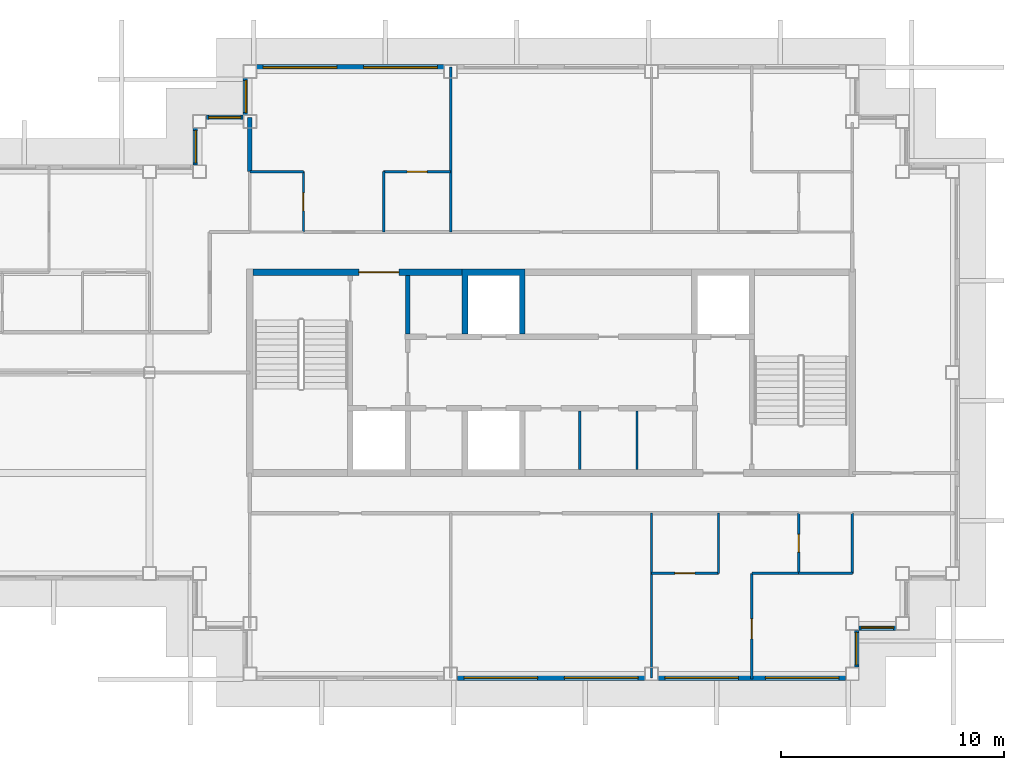
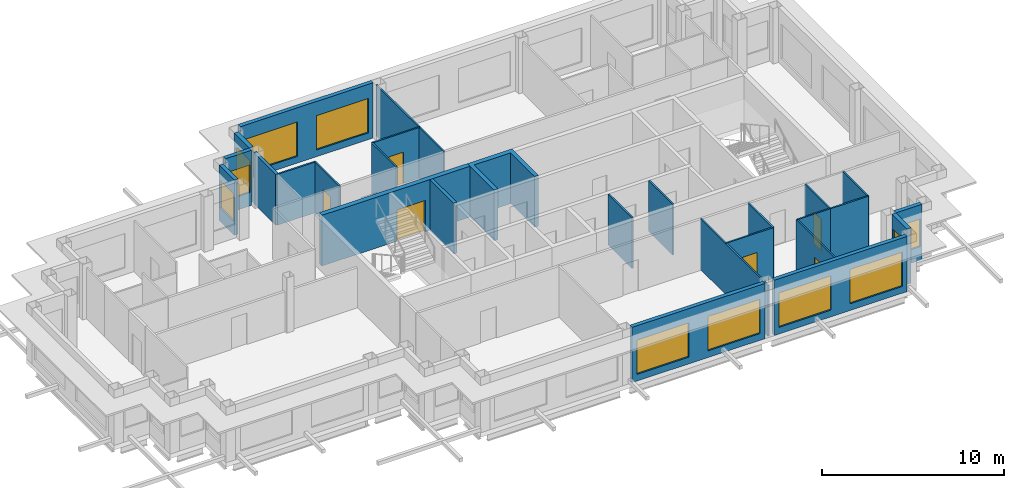
# One storey, part 4 of 11: 27 walls, 11 windows, 6 doors, 17 openings.
"""IFC4 building model written with IfcOpenShell, lengths in metres."""

import ifcopenshell
import ifcopenshell.guid

model = None  # the IFC model being written
_history = None  # IfcOwnerHistory: only IFC2X3 demands one
_inside = {}  # id of a spatial element -> (the spatial element, [elements in it])
_under = {}  # id of a project, library or spatial element -> (it, [spatial elements below it])
_declared = {}  # id of a project -> (the project, [libraries it declares])
_typed = {}  # id of a type object -> (the type object, [elements of that type])
_made_of = {}  # id of a material, layer set ... -> (it, [elements and type objects made of it])


def new_model(schema):
    """Start an empty IFC model of exactly this schema.

    Asked for "IFC4X3", IfcOpenShell would pick the latest addendum, in which some entities
    have other attributes; the version numbers below select the first issue.
    IFC2X3 requires an IfcOwnerHistory on every rooted entity: one is made here for all.
    """
    global model, _history
    if schema == "IFC4X3":
        model = ifcopenshell.file(schema_version=(4, 3, 0, 0))
    else:
        model = ifcopenshell.file(schema=schema)
    _inside.clear()
    _under.clear()
    _declared.clear()
    _typed.clear()
    _made_of.clear()
    _history = None
    if model.schema == "IFC2X3":
        org = make("IfcOrganization", Name="unknown")
        user = make(
            "IfcPersonAndOrganization",
            ThePerson=make("IfcPerson", FamilyName="unknown"),
            TheOrganization=org,
        )
        app = make(
            "IfcApplication",
            ApplicationDeveloper=org,
            Version="unknown",
            ApplicationFullName="unknown",
            ApplicationIdentifier="unknown",
        )
        _history = make(
            "IfcOwnerHistory",
            OwningUser=user,
            OwningApplication=app,
            ChangeAction="ADDED",
            CreationDate=0,
        )
    return model


def make(cls, **values):
    """One entity of the class cls with the attributes given. An attribute that is None is left unset."""
    return model.create_entity(
        cls, **{name: value for name, value in values.items() if value is not None}
    )


def rooted(cls, **values):
    """An entity with a GlobalId (a new one), such as an element, a storey or a relation."""
    return make(cls, GlobalId=ifcopenshell.guid.new(), OwnerHistory=_history, **values)


def si_unit(unit_type, name, prefix=None):
    """IfcSIUnit, for example si_unit("LENGTHUNIT", "METRE", prefix="MILLI")."""
    return make("IfcSIUnit", UnitType=unit_type, Prefix=prefix, Name=name)


def assignment(units):
    """IfcUnitAssignment: the units of a project."""
    return None if units is None else make("IfcUnitAssignment", Units=units)


def point(xyz):
    """IfcCartesianPoint."""
    return None if xyz is None else make("IfcCartesianPoint", Coordinates=xyz)


def direction(xyz):
    """IfcDirection."""
    return None if xyz is None else make("IfcDirection", DirectionRatios=xyz)


def frame(location, z_axis=None, x_axis=None):
    """IfcAxis2Placement3D, a coordinate frame: its origin and axes. An axis left out is left unset."""
    return make(
        "IfcAxis2Placement3D",
        Location=point(location),
        Axis=direction(z_axis),
        RefDirection=direction(x_axis),
    )


def frame_2d(location, x_axis=None):
    """IfcAxis2Placement2D, a coordinate frame in the plane: its origin and x axis."""
    return make(
        "IfcAxis2Placement2D", Location=point(location), RefDirection=direction(x_axis)
    )


def origin():
    """The frame at (0, 0, 0) with its axes left unset."""
    return frame((0.0, 0.0, 0.0))


def place(relative_to, where):
    """IfcLocalPlacement: puts the frame where relative to a parent placement (None: the world)."""
    return make(
        "IfcLocalPlacement", PlacementRelTo=relative_to, RelativePlacement=where
    )


def context(
    kind, dimensions, precision=None, world=None, true_north=None, identifier=None
):
    """IfcGeometricRepresentationContext, for example the 3D "Model" context."""
    return make(
        "IfcGeometricRepresentationContext",
        ContextIdentifier=identifier,
        ContextType=kind,
        CoordinateSpaceDimension=dimensions,
        Precision=precision,
        WorldCoordinateSystem=world,
        TrueNorth=true_north,
    )


def subcontext(parent, identifier, kind, view, scale=None):
    """IfcGeometricRepresentationSubContext, for example "Body" below "Model"."""
    return make(
        "IfcGeometricRepresentationSubContext",
        ContextIdentifier=identifier,
        ContextType=kind,
        ParentContext=parent,
        TargetScale=scale,
        TargetView=view,
    )


def project(units=None, contexts=None):
    """IfcProject with its units and contexts."""
    return rooted(
        "IfcProject",
        Name="project",
        RepresentationContexts=contexts,
        UnitsInContext=assignment(units),
    )


def spatial(cls, under=None, at=None, **own):
    """A site, building, storey or space (cls), placed at a placement, below another one or the project."""
    s = rooted(cls, ObjectPlacement=at, **own)
    if under is not None:
        _under.setdefault(under.id(), (under, []))[1].append(s)
    return s


def polyline(points):
    """IfcPolyline through the points."""
    return make("IfcPolyline", Points=[point(p) for p in points])


def profile(cls, at=None, kind="AREA", **sizes):
    """A parametric profile (cls). Its sizes go by their IFC names, for example OverallWidth=200.0."""
    return make(cls, ProfileType=kind, Position=at, **sizes)


def rectangle(**sizes):
    """IfcRectangleProfileDef."""
    return profile("IfcRectangleProfileDef", **sizes)


def outline(outer, holes=None, kind="AREA"):
    """IfcArbitraryClosedProfileDef: a profile drawn as a closed curve; with holes, ...WithVoids."""
    if holes is None:
        return make("IfcArbitraryClosedProfileDef", ProfileType=kind, OuterCurve=outer)
    return make(
        "IfcArbitraryProfileDefWithVoids",
        ProfileType=kind,
        OuterCurve=outer,
        InnerCurves=holes,
    )


def extrude(swept, where, along, depth):
    """IfcExtrudedAreaSolid: the profile swept, set in the frame where, extruded along a direction by depth."""
    return make(
        "IfcExtrudedAreaSolid",
        SweptArea=swept,
        Position=where,
        ExtrudedDirection=direction(along),
        Depth=depth,
    )


def shape(context_of_items, identifier, shape_type, items):
    """IfcShapeRepresentation: the items that make up one representation, for example the "Body"."""
    return make(
        "IfcShapeRepresentation",
        ContextOfItems=context_of_items,
        RepresentationIdentifier=identifier,
        RepresentationType=shape_type,
        Items=items,
    )


def material(Name=None, Category=None):
    """IfcMaterial."""
    return make("IfcMaterial", Name=Name, Category=Category)


def layer(
    of_material, thickness, ventilated=None, Name=None, Category=None, Priority=None
):
    """IfcMaterialLayer: one layer of a wall or slab, of a material (None: an air gap)."""
    return make(
        "IfcMaterialLayer",
        Material=of_material,
        LayerThickness=thickness,
        IsVentilated=ventilated,
        Name=Name,
        Category=Category,
        Priority=Priority,
    )


def layer_set(layers, Name=None):
    """IfcMaterialLayerSet."""
    return make("IfcMaterialLayerSet", MaterialLayers=layers, LayerSetName=Name)


def made_of(thing, what):
    """Note that an element or type object is made of a material, layer set ...; save() writes the relation."""
    if what is not None:
        _made_of.setdefault(what.id(), (what, []))[1].append(thing)
    return thing


def type_object(cls, material=None, **own):
    """A type object (cls), such as IfcWallType, which elements share."""
    return made_of(rooted(cls, **own), material)


def element(
    cls,
    number,
    at=None,
    inside=None,
    cuts=None,
    type_object=None,
    material=None,
    context=None,
    identifier="Body",
    shape_type=None,
    held_by="IfcProductDefinitionShape",
    body=None,
    shapes=None,
    **own,
):
    """One element of the class cls, such as IfcWall. Its Tag is "e" and its number.

    at: its placement. inside: the storey or other place that contains it. cuts: it is an
    opening in that element (IfcRelVoidsElement). A single representation is given by context,
    identifier, shape_type and body (its items); several are given by shapes. held_by: the class
    of the entity that holds the representations. save() writes the other relations.
    """
    e = rooted(cls, Tag="e%d" % number, ObjectPlacement=at, **own)
    if body is not None:
        shapes = [shape(context, identifier, shape_type, body)]
    if shapes is not None:
        e.Representation = make(held_by, Representations=shapes)
    if inside is not None:
        _inside.setdefault(inside.id(), (inside, []))[1].append(e)
    if cuts is not None:
        rooted(
            "IfcRelVoidsElement", RelatingBuildingElement=cuts, RelatedOpeningElement=e
        )
    if type_object is not None:
        _typed.setdefault(type_object.id(), (type_object, []))[1].append(e)
    return made_of(e, material)


def fill(opening, filler):
    """IfcRelFillsElement: the door or window that sits in an opening."""
    return rooted(
        "IfcRelFillsElement",
        RelatingOpeningElement=opening,
        RelatedBuildingElement=filler,
    )


def aggregate(whole, parts):
    """IfcRelAggregates: a whole, such as a stair, and the parts it consists of."""
    return rooted("IfcRelAggregates", RelatingObject=whole, RelatedObjects=parts)


def save(model, path):
    """Write the relations noted so far, then the file.

    IfcRelAggregates (storeys below a building ...), IfcRelContainedInSpatialStructure (elements
    in a storey), IfcRelDefinesByType, IfcRelAssociatesMaterial and IfcRelDeclares: one each for
    every whole, place, type object, material and project.
    """
    for whole, parts in _under.values():
        aggregate(whole, parts)
    for where, things in _inside.values():
        rooted(
            "IfcRelContainedInSpatialStructure",
            RelatedElements=things,
            RelatingStructure=where,
        )
    for kind, things in _typed.values():
        rooted("IfcRelDefinesByType", RelatedObjects=things, RelatingType=kind)
    for what, things in _made_of.values():
        rooted("IfcRelAssociatesMaterial", RelatedObjects=things, RelatingMaterial=what)
    for by, libraries in _declared.values():
        rooted("IfcRelDeclares", RelatingContext=by, RelatedDefinitions=libraries)
    model.write(path)


model = new_model("IFC4")

# Units and contexts
model_context = context("Model", 3, precision=1e-05, world=origin(), true_north=direction((0.0, 1.0)))
body_context = subcontext(model_context, "Body", "Model", "MODEL_VIEW")
ifc_project = project(units=[si_unit("LENGTHUNIT", "METRE"), si_unit("AREAUNIT", "SQUARE_METRE"), si_unit("VOLUMEUNIT", "CUBIC_METRE"), si_unit("PLANEANGLEUNIT", "RADIAN"), si_unit("MASSUNIT", "GRAM", prefix="KILO")], contexts=[model_context])

# Site, building, storey
site_placement = place(None, origin())
site = spatial("IfcSite", under=ifc_project, at=site_placement, CompositionType="ELEMENT")
building_placement = place(site_placement, origin())
building = spatial("IfcBuilding", under=site, at=building_placement, Name="Caravel Reach Hotel and Residences", CompositionType="ELEMENT")
storey_placement = place(building_placement, frame((0.0, 0.0, 263.800048828125)))
storey = spatial("IfcBuildingStorey", under=building, at=storey_placement, Name="L67", CompositionType="ELEMENT", Elevation=263.800048828125)

# Walls
ifc_material_1 = material(Name="Gypsum board on steel stud", Category="steel")
ifc_layer_1 = layer(ifc_material_1, 0.10009765625)
ifc_layer_set_1 = layer_set([ifc_layer_1], Name="Bathroom pod wall 100 mm")
wall_type_1 = type_object("IfcWallType", Name="Bathroom pod wall 100 mm", PredefinedType="PARTITIONING", material=ifc_layer_set_1)
for number, where, z_axis, x_axis, name in (
    (1, (42.60009765625, 18.0, 0.0), (0.0, 0.0, 1.0), (1.0, 0.0, 0.0), "L67 wall w050"),
    (2, (18.0, 36.0, 0.0), (0.0, 0.0, 1.0), (1.0, 0.0, 0.0), "L67 wall w056"),
):
    element("IfcWall", number, at=place(storey_placement, frame(where, z_axis=z_axis, x_axis=x_axis)), inside=storey, type_object=wall_type_1, Name=name, PredefinedType="PARTITIONING", context=body_context, shape_type="SweptSolid", body=[
        extrude(rectangle(XDim=2.39990234375, YDim=0.10009765625, at=frame_2d((1.199951171875, 0.0))), origin(), (0.0, 0.0, 1.0), 3.39990234375),
    ])

# Wall, opening, door
wall_1_placement = place(storey_placement, frame((20.39990234375, 33.300048828125, 0.0), z_axis=(0.0, 0.0, 1.0), x_axis=(0.0, 1.0, 0.0)))
wall_1 = element("IfcWall", 3, at=wall_1_placement, inside=storey, type_object=wall_type_1, Name="L67 wall w059", PredefinedType="PARTITIONING", context=body_context, shape_type="SweptSolid", body=[
    extrude(rectangle(XDim=2.699951171875, YDim=0.10009765625, at=frame_2d((1.35009765625, 0.0))), origin(), (0.0, 0.0, 1.0), 3.39990234375),
])
opening_1_placement = place(wall_1_placement, frame((0.949951171875, 0.0, 0.0)))
opening_1 = element("IfcOpeningElement", 4, at=opening_1_placement, cuts=wall_1, Name="Opening D67-018", PredefinedType="OPENING", context=body_context, shape_type="SweptSolid", body=[
    extrude(rectangle(XDim=0.800048828125, YDim=2.10009765625, at=frame_2d((0.39990234375, 1.050048828125))), frame((0.0, 0.06005859375, 0.0), z_axis=(0.0, -1.0, 0.0), x_axis=(1.0, 0.0, 0.0)), (0.0, 0.0, 1.0), 0.1201171875),
])
ifc_material_2 = material(Name="Timber and steel door leaf", Category="steel")
door_type_1 = type_object("IfcDoorType", Name="Bathroom door 800 x 2100", OperationType="SINGLE_SWING_LEFT", PredefinedType="DOOR", material=ifc_material_2)
door_1_placement = place(opening_1_placement, origin())
door_1 = element("IfcDoor", 5, at=door_1_placement, inside=storey, type_object=door_type_1, Name="door D67-018", OperationType="SINGLE_SWING_RIGHT", OverallHeight=2.10009765625, OverallWidth=0.800048828125, PredefinedType="DOOR", context=body_context, shape_type="SweptSolid", body=[
    extrude(rectangle(XDim=0.800048828125, YDim=2.10009765625, at=frame_2d((0.39990234375, 1.050048828125))), frame((0.0, 0.02490234375, 0.0), z_axis=(0.0, -1.0, 0.0), x_axis=(1.0, 0.0, 0.0)), (0.0, 0.0, 1.0), 0.050048828125),
])
fill(opening_1, door_1)

wall_2_placement = place(storey_placement, frame((42.60009765625, 18.0, 0.0), z_axis=(0.0, 0.0, 1.0), x_axis=(0.0, 1.0, 0.0)))
wall_2 = element("IfcWall", 6, at=wall_2_placement, inside=storey, type_object=wall_type_1, Name="L67 wall w062", PredefinedType="PARTITIONING", context=body_context, shape_type="SweptSolid", body=[
    extrude(rectangle(XDim=2.699951171875, YDim=0.10009765625, at=frame_2d((1.35009765625, 0.0))), origin(), (0.0, 0.0, 1.0), 3.39990234375),
])
opening_2_placement = place(wall_2_placement, frame((0.949951171875, 0.0, 0.0)))
opening_2 = element("IfcOpeningElement", 7, at=opening_2_placement, cuts=wall_2, Name="Opening D67-034", PredefinedType="OPENING", context=body_context, shape_type="SweptSolid", body=[
    extrude(rectangle(XDim=0.800048828125, YDim=2.10009765625, at=frame_2d((0.39990234375, 1.050048828125))), frame((0.0, 0.06005859375, 0.0), z_axis=(0.0, -1.0, 0.0), x_axis=(1.0, 0.0, 0.0)), (0.0, 0.0, 1.0), 0.1201171875),
])
door_2_placement = place(opening_2_placement, origin())
door_2 = element("IfcDoor", 8, at=door_2_placement, inside=storey, type_object=door_type_1, Name="door D67-034", OperationType="SINGLE_SWING_RIGHT", OverallHeight=2.10009765625, OverallWidth=0.800048828125, PredefinedType="DOOR", context=body_context, shape_type="SweptSolid", body=[
    extrude(rectangle(XDim=0.800048828125, YDim=2.10009765625, at=frame_2d((0.39990234375, 1.050048828125))), frame((0.0, 0.02490234375, 0.0), z_axis=(0.0, -1.0, 0.0), x_axis=(1.0, 0.0, 0.0)), (0.0, 0.0, 1.0), 0.050048828125),
])
fill(opening_2, door_2)

# Walls
wall_3_placement = place(storey_placement, frame((45.0, 18.0, 0.0), z_axis=(0.0, 0.0, 1.0), x_axis=(0.0, 1.0, 0.0)))
element("IfcWall", 9, at=wall_3_placement, inside=storey, type_object=wall_type_1, Name="L67 wall w064", PredefinedType="PARTITIONING", context=body_context, shape_type="SweptSolid", body=[
    extrude(rectangle(XDim=2.698974609375, YDim=0.10009765625, at=frame_2d((1.349609375, 0.0))), origin(), (0.0, 0.0, 1.0), 3.39990234375),
])
ifc_material_3 = material(Name="Autoclaved aerated block wall")
ifc_layer_2 = layer(ifc_material_3, 0.199951171875)
ifc_layer_set_2 = layer_set([ifc_layer_2], Name="Compartment wall 200 mm EI 120")
wall_type_2 = type_object("IfcWallType", Name="Compartment wall 200 mm EI 120", PredefinedType="PARTITIONING", material=ifc_layer_set_2)
wall_4_placement = place(storey_placement, frame((25.071533203125, 28.72509765625, 0.0), z_axis=(0.0, 0.0, 1.0), x_axis=(0.0, 1.0, 0.0)))
element("IfcWall", 10, at=wall_4_placement, inside=storey, type_object=wall_type_2, Name="L67 store partition", PredefinedType="PARTITIONING", context=body_context, shape_type="SweptSolid", body=[
    extrude(rectangle(XDim=2.625, YDim=0.199951171875, at=frame_2d((1.3125, 0.0))), origin(), (0.0, 0.0, 1.0), 3.39990234375),
])

# Wall, opening, door
ifc_material_4 = material(Name="Concrete C60", Category="concrete")
ifc_layer_3 = layer(ifc_material_4, 0.300048828125)
ifc_layer_set_3 = layer_set([ifc_layer_3], Name="Core wall 300 mm EI 120")
wall_type_3 = type_object("IfcWallType", Name="Core wall 300 mm EI 120", PredefinedType="SHEAR", material=ifc_layer_set_3)
wall_5_placement = place(storey_placement, frame((18.14990234375, 31.5, 0.0), z_axis=(0.0, 0.0, 1.0), x_axis=(1.0, 0.0, 0.0)))
wall_5 = element("IfcWall", 11, at=wall_5_placement, inside=storey, type_object=wall_type_3, Name="L67 core wall N1", PredefinedType="SHEAR", context=body_context, shape_type="SweptSolid", body=[
    extrude(rectangle(XDim=9.367919921875, YDim=0.300048828125, at=frame_2d((4.68408203125, 0.0))), origin(), (0.0, 0.0, 1.0), 3.39990234375),
])
opening_3_placement = place(wall_5_placement, frame((4.735595703125, 0.0, 0.0)))
opening_3 = element("IfcOpeningElement", 12, at=opening_3_placement, cuts=wall_5, Name="Opening D67-015", PredefinedType="OPENING", context=body_context, shape_type="SweptSolid", body=[
    extrude(rectangle(XDim=1.800048828125, YDim=2.10009765625, at=frame_2d((0.89990234375, 1.050048828125))), frame((0.0, 0.159912109375, 0.0), z_axis=(0.0, -1.0, 0.0), x_axis=(1.0, 0.0, 0.0)), (0.0, 0.0, 1.0), 0.320068359375),
])
ifc_material_5 = material(Name="Steel fire door leaf", Category="steel")
door_type_2 = type_object("IfcDoorType", Name="Fire lobby door pair 1800 x 2100 EI 90", OperationType="DOUBLE_DOOR_SINGLE_SWING", PredefinedType="DOOR", material=ifc_material_5)
door_3_placement = place(opening_3_placement, origin())
door_3 = element("IfcDoor", 13, at=door_3_placement, inside=storey, type_object=door_type_2, Name="lobby N door pair to corridor", OperationType="DOUBLE_DOOR_SINGLE_SWING", OverallHeight=2.10009765625, OverallWidth=1.800048828125, PredefinedType="DOOR", context=body_context, shape_type="SweptSolid", body=[
    extrude(rectangle(XDim=1.800048828125, YDim=2.10009765625, at=frame_2d((0.89990234375, 1.050048828125))), frame((0.0, 0.02490234375, 0.0), z_axis=(0.0, -1.0, 0.0), x_axis=(1.0, 0.0, 0.0)), (0.0, 0.0, 1.0), 0.050048828125),
])
fill(opening_3, door_3)

# Wall, openings, windows
ifc_material_6 = material(Name="Insulated rainscreen wall, aluminium cladding", Category="aluminium")
ifc_layer_4 = layer(ifc_material_6, 0.25)
ifc_layer_set_4 = layer_set([ifc_layer_4], Name="EW1 Tower rainscreen wall")
wall_type_4 = type_object("IfcWallType", Name="EW1 Tower rainscreen wall", PredefinedType="SOLIDWALL", material=ifc_layer_set_4)
wall_6_placement = place(storey_placement, frame((27.300048828125, 13.324951171875, 0.0), z_axis=(0.0, 0.0, 1.0), x_axis=(1.0, 0.0, 0.0)))
wall_6 = element("IfcWall", 14, at=wall_6_placement, inside=storey, type_object=wall_type_4, Name="External wall L67 S4.2", PredefinedType="SOLIDWALL", context=body_context, shape_type="SweptSolid", body=[
    extrude(rectangle(XDim=8.39990234375, YDim=0.25, at=frame_2d((4.199951171875, 0.0))), origin(), (0.0, 0.0, 1.0), 3.699951171875),
])
opening_4_placement = place(wall_6_placement, frame((0.300048828125, 0.0, 0.449951171875)))
opening_4 = element("IfcOpeningElement", 15, at=opening_4_placement, cuts=wall_6, Name="Opening WN15", PredefinedType="OPENING", context=body_context, shape_type="SweptSolid", body=[
    extrude(rectangle(XDim=3.300048828125, YDim=2.300048828125, at=frame_2d((1.64990234375, 1.14990234375))), frame((0.0, 0.135009765625, 0.0), z_axis=(0.0, -1.0, 0.0), x_axis=(1.0, 0.0, 0.0)), (0.0, 0.0, 1.0), 0.27001953125),
])
opening_5_placement = place(wall_6_placement, frame((4.800048828125, 0.0, 0.449951171875)))
opening_5 = element("IfcOpeningElement", 16, at=opening_5_placement, cuts=wall_6, Name="Opening WN15", PredefinedType="OPENING", context=body_context, shape_type="SweptSolid", body=[
    extrude(rectangle(XDim=3.300048828125, YDim=2.300048828125, at=frame_2d((1.64990234375, 1.14990234375))), frame((0.0, 0.135009765625, 0.0), z_axis=(0.0, -1.0, 0.0), x_axis=(1.0, 0.0, 0.0)), (0.0, 0.0, 1.0), 0.27001953125),
])
ifc_material_7 = material(Name="Dark low-e glazing in black aluminium frame", Category="aluminium")
window_type_1 = type_object("IfcWindowType", Name="Residence living window 3300 x 2300", PartitioningType="SINGLE_PANEL", PredefinedType="WINDOW", material=ifc_material_7)
window_1_placement = place(opening_4_placement, origin())
window_1 = element("IfcWindow", 17, at=window_1_placement, inside=storey, type_object=window_type_1, Name="Window L67 S4.2.1", OverallHeight=2.300048828125, OverallWidth=3.300048828125, PartitioningType="SINGLE_PANEL", PredefinedType="WINDOW", context=body_context, shape_type="SweptSolid", body=[
    extrude(rectangle(XDim=3.300048828125, YDim=2.300048828125, at=frame_2d((1.64990234375, 1.14990234375))), frame((0.0, 0.030029296875, 0.0), z_axis=(0.0, -1.0, 0.0), x_axis=(1.0, 0.0, 0.0)), (0.0, 0.0, 1.0), 0.06005859375),
])
fill(opening_4, window_1)
window_2_placement = place(opening_5_placement, origin())
window_2 = element("IfcWindow", 18, at=window_2_placement, inside=storey, type_object=window_type_1, Name="Window L67 S4.2.2", OverallHeight=2.300048828125, OverallWidth=3.300048828125, PartitioningType="SINGLE_PANEL", PredefinedType="WINDOW", context=body_context, shape_type="SweptSolid", body=[
    extrude(rectangle(XDim=3.300048828125, YDim=2.300048828125, at=frame_2d((1.64990234375, 1.14990234375))), frame((0.0, 0.030029296875, 0.0), z_axis=(0.0, -1.0, 0.0), x_axis=(1.0, 0.0, 0.0)), (0.0, 0.0, 1.0), 0.06005859375),
])
fill(opening_5, window_2)

wall_7_placement = place(storey_placement, frame((36.300048828125, 13.324951171875, 0.0), z_axis=(0.0, 0.0, 1.0), x_axis=(1.0, 0.0, 0.0)))
wall_7 = element("IfcWall", 19, at=wall_7_placement, inside=storey, type_object=wall_type_4, Name="External wall L67 S4.3", PredefinedType="SOLIDWALL", context=body_context, shape_type="SweptSolid", body=[
    extrude(rectangle(XDim=8.39990234375, YDim=0.25, at=frame_2d((4.199951171875, 0.0))), origin(), (0.0, 0.0, 1.0), 3.699951171875),
])
opening_6_placement = place(wall_7_placement, frame((0.300048828125, 0.0, 0.449951171875)))
opening_6 = element("IfcOpeningElement", 20, at=opening_6_placement, cuts=wall_7, Name="Opening WN15", PredefinedType="OPENING", context=body_context, shape_type="SweptSolid", body=[
    extrude(rectangle(XDim=3.300048828125, YDim=2.300048828125, at=frame_2d((1.64990234375, 1.14990234375))), frame((0.0, 0.135009765625, 0.0), z_axis=(0.0, -1.0, 0.0), x_axis=(1.0, 0.0, 0.0)), (0.0, 0.0, 1.0), 0.27001953125),
])
opening_7_placement = place(wall_7_placement, frame((4.800048828125, 0.0, 0.449951171875)))
opening_7 = element("IfcOpeningElement", 21, at=opening_7_placement, cuts=wall_7, Name="Opening WN15", PredefinedType="OPENING", context=body_context, shape_type="SweptSolid", body=[
    extrude(rectangle(XDim=3.300048828125, YDim=2.300048828125, at=frame_2d((1.64990234375, 1.14990234375))), frame((0.0, 0.135009765625, 0.0), z_axis=(0.0, -1.0, 0.0), x_axis=(1.0, 0.0, 0.0)), (0.0, 0.0, 1.0), 0.27001953125),
])
window_3_placement = place(opening_6_placement, origin())
window_3 = element("IfcWindow", 22, at=window_3_placement, inside=storey, type_object=window_type_1, Name="Window L67 S4.3.1", OverallHeight=2.300048828125, OverallWidth=3.300048828125, PartitioningType="SINGLE_PANEL", PredefinedType="WINDOW", context=body_context, shape_type="SweptSolid", body=[
    extrude(rectangle(XDim=3.300048828125, YDim=2.300048828125, at=frame_2d((1.64990234375, 1.14990234375))), frame((0.0, 0.030029296875, 0.0), z_axis=(0.0, -1.0, 0.0), x_axis=(1.0, 0.0, 0.0)), (0.0, 0.0, 1.0), 0.06005859375),
])
fill(opening_6, window_3)
window_4_placement = place(opening_7_placement, origin())
window_4 = element("IfcWindow", 23, at=window_4_placement, inside=storey, type_object=window_type_1, Name="Window L67 S4.3.2", OverallHeight=2.300048828125, OverallWidth=3.300048828125, PartitioningType="SINGLE_PANEL", PredefinedType="WINDOW", context=body_context, shape_type="SweptSolid", body=[
    extrude(rectangle(XDim=3.300048828125, YDim=2.300048828125, at=frame_2d((1.64990234375, 1.14990234375))), frame((0.0, 0.030029296875, 0.0), z_axis=(0.0, -1.0, 0.0), x_axis=(1.0, 0.0, 0.0)), (0.0, 0.0, 1.0), 0.06005859375),
])
fill(opening_7, window_4)

# Wall, opening, window
wall_8_placement = place(storey_placement, frame((45.175048828125, 13.800048828125, 0.0), z_axis=(0.0, 0.0, 1.0), x_axis=(0.0, 1.0, 0.0)))
wall_8 = element("IfcWall", 24, at=wall_8_placement, inside=storey, type_object=wall_type_4, Name="External wall L67 E5.1", PredefinedType="SOLIDWALL", context=body_context, shape_type="SweptSolid", body=[
    extrude(rectangle(XDim=1.64990234375, YDim=0.25, at=frame_2d((0.824951171875, 0.0))), origin(), (0.0, 0.0, 1.0), 3.699951171875),
])
opening_8_placement = place(wall_8_placement, frame((0.10009765625, 0.0, 0.89990234375)))
opening_8 = element("IfcOpeningElement", 25, at=opening_8_placement, cuts=wall_8, Name="Opening WN25", PredefinedType="OPENING", context=body_context, shape_type="SweptSolid", body=[
    extrude(rectangle(XDim=1.449951171875, YDim=1.85009765625, at=frame_2d((0.72509765625, 0.925048828125))), frame((0.0, 0.135009765625, 0.0), z_axis=(0.0, -1.0, 0.0), x_axis=(1.0, 0.0, 0.0)), (0.0, 0.0, 1.0), 0.27001953125),
])
ifc_material_8 = material(Name="Dark low-e glazing in black aluminium frame", Category="aluminium")
window_type_2 = type_object("IfcWindowType", Name="Residence bedroom window 1450 x 1850", PartitioningType="SINGLE_PANEL", PredefinedType="WINDOW", material=ifc_material_8)
window_5_placement = place(opening_8_placement, origin())
window_5 = element("IfcWindow", 26, at=window_5_placement, inside=storey, type_object=window_type_2, Name="Window L67 E5.1.1", OverallHeight=1.85009765625, OverallWidth=1.449951171875, PartitioningType="SINGLE_PANEL", PredefinedType="WINDOW", context=body_context, shape_type="SweptSolid", body=[
    extrude(rectangle(XDim=1.449951171875, YDim=1.85009765625, at=frame_2d((0.72509765625, 0.925048828125))), frame((0.0, 0.030029296875, 0.0), z_axis=(0.0, -1.0, 0.0), x_axis=(1.0, 0.0, 0.0)), (0.0, 0.0, 1.0), 0.06005859375),
])
fill(opening_8, window_5)

wall_9_placement = place(storey_placement, frame((45.300048828125, 15.574951171875, 0.0), z_axis=(0.0, 0.0, 1.0), x_axis=(1.0, 0.0, 0.0)))
wall_9 = element("IfcWall", 27, at=wall_9_placement, inside=storey, type_object=wall_type_4, Name="External wall L67 S6.1", PredefinedType="SOLIDWALL", context=body_context, shape_type="SweptSolid", body=[
    extrude(rectangle(XDim=1.64990234375, YDim=0.25, at=frame_2d((0.824951171875, 0.0))), origin(), (0.0, 0.0, 1.0), 3.699951171875),
])
opening_9_placement = place(wall_9_placement, frame((0.10009765625, 0.0, 0.89990234375)))
opening_9 = element("IfcOpeningElement", 28, at=opening_9_placement, cuts=wall_9, Name="Opening WN25", PredefinedType="OPENING", context=body_context, shape_type="SweptSolid", body=[
    extrude(rectangle(XDim=1.449951171875, YDim=1.85009765625, at=frame_2d((0.72509765625, 0.925048828125))), frame((0.0, 0.135009765625, 0.0), z_axis=(0.0, -1.0, 0.0), x_axis=(1.0, 0.0, 0.0)), (0.0, 0.0, 1.0), 0.27001953125),
])
window_6_placement = place(opening_9_placement, origin())
window_6 = element("IfcWindow", 29, at=window_6_placement, inside=storey, type_object=window_type_2, Name="Window L67 S6.1.1", OverallHeight=1.85009765625, OverallWidth=1.449951171875, PartitioningType="SINGLE_PANEL", PredefinedType="WINDOW", context=body_context, shape_type="SweptSolid", body=[
    extrude(rectangle(XDim=1.449951171875, YDim=1.85009765625, at=frame_2d((0.72509765625, 0.925048828125))), frame((0.0, 0.030029296875, 0.0), z_axis=(0.0, -1.0, 0.0), x_axis=(1.0, 0.0, 0.0)), (0.0, 0.0, 1.0), 0.06005859375),
])
fill(opening_9, window_6)

# Wall, openings, windows
wall_10_placement = place(storey_placement, frame((26.699951171875, 40.675048828125, 0.0), z_axis=(0.0, 0.0, 1.0), x_axis=(-1.0, 0.0, 0.0)))
wall_10 = element("IfcWall", 30, at=wall_10_placement, inside=storey, type_object=wall_type_4, Name="External wall L67 N14.3", PredefinedType="SOLIDWALL", context=body_context, shape_type="SweptSolid", body=[
    extrude(rectangle(XDim=8.39990234375, YDim=0.25, at=frame_2d((4.199951171875, 0.0))), origin(), (0.0, 0.0, 1.0), 3.699951171875),
])
opening_10_placement = place(wall_10_placement, frame((0.300048828125, 0.0, 0.449951171875)))
opening_10 = element("IfcOpeningElement", 31, at=opening_10_placement, cuts=wall_10, Name="Opening WN15", PredefinedType="OPENING", context=body_context, shape_type="SweptSolid", body=[
    extrude(rectangle(XDim=3.300048828125, YDim=2.300048828125, at=frame_2d((1.64990234375, 1.14990234375))), frame((0.0, 0.135009765625, 0.0), z_axis=(0.0, -1.0, 0.0), x_axis=(1.0, 0.0, 0.0)), (0.0, 0.0, 1.0), 0.27001953125),
])
opening_11_placement = place(wall_10_placement, frame((4.800048828125, 0.0, 0.449951171875)))
opening_11 = element("IfcOpeningElement", 32, at=opening_11_placement, cuts=wall_10, Name="Opening WN15", PredefinedType="OPENING", context=body_context, shape_type="SweptSolid", body=[
    extrude(rectangle(XDim=3.300048828125, YDim=2.300048828125, at=frame_2d((1.64990234375, 1.14990234375))), frame((0.0, 0.135009765625, 0.0), z_axis=(0.0, -1.0, 0.0), x_axis=(1.0, 0.0, 0.0)), (0.0, 0.0, 1.0), 0.27001953125),
])
window_7_placement = place(opening_10_placement, origin())
window_7 = element("IfcWindow", 33, at=window_7_placement, inside=storey, type_object=window_type_1, Name="Window L67 N14.3.1", OverallHeight=2.300048828125, OverallWidth=3.300048828125, PartitioningType="SINGLE_PANEL", PredefinedType="WINDOW", context=body_context, shape_type="SweptSolid", body=[
    extrude(rectangle(XDim=3.300048828125, YDim=2.300048828125, at=frame_2d((1.64990234375, 1.14990234375))), frame((0.0, 0.030029296875, 0.0), z_axis=(0.0, -1.0, 0.0), x_axis=(1.0, 0.0, 0.0)), (0.0, 0.0, 1.0), 0.06005859375),
])
fill(opening_10, window_7)
window_8_placement = place(opening_11_placement, origin())
window_8 = element("IfcWindow", 34, at=window_8_placement, inside=storey, type_object=window_type_1, Name="Window L67 N14.3.2", OverallHeight=2.300048828125, OverallWidth=3.300048828125, PartitioningType="SINGLE_PANEL", PredefinedType="WINDOW", context=body_context, shape_type="SweptSolid", body=[
    extrude(rectangle(XDim=3.300048828125, YDim=2.300048828125, at=frame_2d((1.64990234375, 1.14990234375))), frame((0.0, 0.030029296875, 0.0), z_axis=(0.0, -1.0, 0.0), x_axis=(1.0, 0.0, 0.0)), (0.0, 0.0, 1.0), 0.06005859375),
])
fill(opening_11, window_8)

# Wall, opening, window
wall_11_placement = place(storey_placement, frame((17.824951171875, 40.199951171875, 0.0), z_axis=(0.0, 0.0, 1.0), x_axis=(0.0, -1.0, 0.0)))
wall_11 = element("IfcWall", 35, at=wall_11_placement, inside=storey, type_object=wall_type_4, Name="External wall L67 W15.1", PredefinedType="SOLIDWALL", context=body_context, shape_type="SweptSolid", body=[
    extrude(rectangle(XDim=1.64990234375, YDim=0.25, at=frame_2d((0.824951171875, 0.0))), origin(), (0.0, 0.0, 1.0), 3.699951171875),
])
opening_12_placement = place(wall_11_placement, frame((0.10009765625, 0.0, 0.89990234375)))
opening_12 = element("IfcOpeningElement", 36, at=opening_12_placement, cuts=wall_11, Name="Opening WN25", PredefinedType="OPENING", context=body_context, shape_type="SweptSolid", body=[
    extrude(rectangle(XDim=1.449951171875, YDim=1.85009765625, at=frame_2d((0.72509765625, 0.925048828125))), frame((0.0, 0.135009765625, 0.0), z_axis=(0.0, -1.0, 0.0), x_axis=(1.0, 0.0, 0.0)), (0.0, 0.0, 1.0), 0.27001953125),
])
window_9_placement = place(opening_12_placement, origin())
window_9 = element("IfcWindow", 37, at=window_9_placement, inside=storey, type_object=window_type_2, Name="Window L67 W15.1.1", OverallHeight=1.85009765625, OverallWidth=1.449951171875, PartitioningType="SINGLE_PANEL", PredefinedType="WINDOW", context=body_context, shape_type="SweptSolid", body=[
    extrude(rectangle(XDim=1.449951171875, YDim=1.85009765625, at=frame_2d((0.72509765625, 0.925048828125))), frame((0.0, 0.030029296875, 0.0), z_axis=(0.0, -1.0, 0.0), x_axis=(1.0, 0.0, 0.0)), (0.0, 0.0, 1.0), 0.06005859375),
])
fill(opening_12, window_9)

wall_12_placement = place(storey_placement, frame((17.699951171875, 38.425048828125, 0.0), z_axis=(0.0, 0.0, 1.0), x_axis=(-1.0, 0.0, 0.0)))
wall_12 = element("IfcWall", 38, at=wall_12_placement, inside=storey, type_object=wall_type_4, Name="External wall L67 N16.1", PredefinedType="SOLIDWALL", context=body_context, shape_type="SweptSolid", body=[
    extrude(rectangle(XDim=1.64990234375, YDim=0.25, at=frame_2d((0.824951171875, 0.0))), origin(), (0.0, 0.0, 1.0), 3.699951171875),
])
opening_13_placement = place(wall_12_placement, frame((0.10009765625, 0.0, 0.89990234375)))
opening_13 = element("IfcOpeningElement", 39, at=opening_13_placement, cuts=wall_12, Name="Opening WN25", PredefinedType="OPENING", context=body_context, shape_type="SweptSolid", body=[
    extrude(rectangle(XDim=1.449951171875, YDim=1.85009765625, at=frame_2d((0.72509765625, 0.925048828125))), frame((0.0, 0.135009765625, 0.0), z_axis=(0.0, -1.0, 0.0), x_axis=(1.0, 0.0, 0.0)), (0.0, 0.0, 1.0), 0.27001953125),
])
window_10_placement = place(opening_13_placement, origin())
window_10 = element("IfcWindow", 40, at=window_10_placement, inside=storey, type_object=window_type_2, Name="Window L67 N16.1.1", OverallHeight=1.85009765625, OverallWidth=1.449951171875, PartitioningType="SINGLE_PANEL", PredefinedType="WINDOW", context=body_context, shape_type="SweptSolid", body=[
    extrude(rectangle(XDim=1.449951171875, YDim=1.85009765625, at=frame_2d((0.72509765625, 0.925048828125))), frame((0.0, 0.030029296875, 0.0), z_axis=(0.0, -1.0, 0.0), x_axis=(1.0, 0.0, 0.0)), (0.0, 0.0, 1.0), 0.06005859375),
])
fill(opening_13, window_10)

wall_13_placement = place(storey_placement, frame((15.574951171875, 37.949951171875, 0.0), z_axis=(0.0, 0.0, 1.0), x_axis=(0.0, -1.0, 0.0)))
wall_13 = element("IfcWall", 41, at=wall_13_placement, inside=storey, type_object=wall_type_4, Name="External wall L67 W17.1", PredefinedType="SOLIDWALL", context=body_context, shape_type="SweptSolid", body=[
    extrude(rectangle(XDim=1.64990234375, YDim=0.25, at=frame_2d((0.824951171875, 0.0))), origin(), (0.0, 0.0, 1.0), 3.699951171875),
])
opening_14_placement = place(wall_13_placement, frame((0.10009765625, 0.0, 0.89990234375)))
opening_14 = element("IfcOpeningElement", 42, at=opening_14_placement, cuts=wall_13, Name="Opening WN25", PredefinedType="OPENING", context=body_context, shape_type="SweptSolid", body=[
    extrude(rectangle(XDim=1.449951171875, YDim=1.85009765625, at=frame_2d((0.72509765625, 0.925048828125))), frame((0.0, 0.135009765625, 0.0), z_axis=(0.0, -1.0, 0.0), x_axis=(1.0, 0.0, 0.0)), (0.0, 0.0, 1.0), 0.27001953125),
])
window_11_placement = place(opening_14_placement, origin())
window_11 = element("IfcWindow", 43, at=window_11_placement, inside=storey, type_object=window_type_2, Name="Window L67 W17.1.1", OverallHeight=1.85009765625, OverallWidth=1.449951171875, PartitioningType="SINGLE_PANEL", PredefinedType="WINDOW", context=body_context, shape_type="SweptSolid", body=[
    extrude(rectangle(XDim=1.449951171875, YDim=1.85009765625, at=frame_2d((0.72509765625, 0.925048828125))), frame((0.0, 0.030029296875, 0.0), z_axis=(0.0, -1.0, 0.0), x_axis=(1.0, 0.0, 0.0)), (0.0, 0.0, 1.0), 0.06005859375),
])
fill(opening_14, window_11)

# Walls
ifc_material_9 = material(Name="Gypsum board on steel stud", Category="steel")
ifc_layer_5 = layer(ifc_material_9, 0.10009765625)
ifc_layer_set_5 = layer_set([ifc_layer_5], Name="Partition 100 mm")
wall_type_5 = type_object("IfcWallType", Name="Partition 100 mm", PredefinedType="PARTITIONING", material=ifc_layer_set_5)
for number, where, z_axis, x_axis, name in (
    (44, (32.78564453125, 22.64990234375, 0.0), (0.0, 0.0, 1.0), (0.0, 1.0, 0.0), "L67 store partition"),
    (45, (35.357177734375, 22.64990234375, 0.0), (0.0, 0.0, 1.0), (0.0, 1.0, 0.0), "L67 store partition"),
):
    element("IfcWall", number, at=place(storey_placement, frame(where, z_axis=z_axis, x_axis=x_axis)), inside=storey, type_object=wall_type_5, Name=name, PredefinedType="PARTITIONING", context=body_context, shape_type="SweptSolid", body=[
        extrude(rectangle(XDim=2.625, YDim=0.10009765625, at=frame_2d((1.3125, 0.0))), origin(), (0.0, 0.0, 1.0), 3.39990234375),
    ])
wall_14_placement = place(storey_placement, frame((40.5, 18.0, 0.0), z_axis=(0.0, 0.0, 1.0), x_axis=(1.0, 0.0, 0.0)))
element("IfcWall", 46, at=wall_14_placement, inside=storey, type_object=wall_type_5, Name="L67 wall w021", PredefinedType="PARTITIONING", context=body_context, shape_type="SweptSolid", body=[
    extrude(rectangle(XDim=2.10009765625, YDim=0.10009765625, at=frame_2d((1.050048828125, 0.0))), origin(), (0.0, 0.0, 1.0), 3.39990234375),
])

# Wall, opening, door
wall_15_placement = place(storey_placement, frame((36.0, 18.0, 0.0), z_axis=(0.0, 0.0, 1.0), x_axis=(1.0, 0.0, 0.0)))
wall_15 = element("IfcWall", 47, at=wall_15_placement, inside=storey, type_object=wall_type_5, Name="L67 wall w022", PredefinedType="PARTITIONING", context=body_context, shape_type="SweptSolid", body=[
    extrude(rectangle(XDim=3.0, YDim=0.10009765625, at=frame_2d((1.5, 0.0))), origin(), (0.0, 0.0, 1.0), 3.39990234375),
])
opening_15_placement = place(wall_15_placement, frame((1.050048828125, 0.0, 0.0)))
opening_15 = element("IfcOpeningElement", 48, at=opening_15_placement, cuts=wall_15, Name="Opening D67-033", PredefinedType="OPENING", context=body_context, shape_type="SweptSolid", body=[
    extrude(rectangle(XDim=0.89990234375, YDim=2.10009765625, at=frame_2d((0.449951171875, 1.050048828125))), frame((0.0, 0.06005859375, 0.0), z_axis=(0.0, -1.0, 0.0), x_axis=(1.0, 0.0, 0.0)), (0.0, 0.0, 1.0), 0.1201171875),
])
ifc_material_10 = material(Name="Timber and steel door leaf", Category="steel")
door_type_3 = type_object("IfcDoorType", Name="Door 900 x 2100 timber", OperationType="SINGLE_SWING_LEFT", PredefinedType="DOOR", material=ifc_material_10)
door_4_placement = place(opening_15_placement, origin())
door_4 = element("IfcDoor", 49, at=door_4_placement, inside=storey, type_object=door_type_3, Name="door D67-033", OperationType="SINGLE_SWING_LEFT", OverallHeight=2.10009765625, OverallWidth=0.89990234375, PredefinedType="DOOR", context=body_context, shape_type="SweptSolid", body=[
    extrude(rectangle(XDim=0.89990234375, YDim=2.10009765625, at=frame_2d((0.449951171875, 1.050048828125))), frame((0.0, 0.02490234375, 0.0), z_axis=(0.0, -1.0, 0.0), x_axis=(1.0, 0.0, 0.0)), (0.0, 0.0, 1.0), 0.050048828125),
])
fill(opening_15, door_4)

wall_16_placement = place(storey_placement, frame((24.0, 36.0, 0.0), z_axis=(0.0, 0.0, 1.0), x_axis=(1.0, 0.0, 0.0)))
wall_16 = element("IfcWall", 50, at=wall_16_placement, inside=storey, type_object=wall_type_5, Name="L67 wall w026", PredefinedType="PARTITIONING", context=body_context, shape_type="SweptSolid", body=[
    extrude(rectangle(XDim=3.0, YDim=0.10009765625, at=frame_2d((1.5, 0.0))), origin(), (0.0, 0.0, 1.0), 3.39990234375),
])
opening_16_placement = place(wall_16_placement, frame((1.050048828125, 0.0, 0.0)))
opening_16 = element("IfcOpeningElement", 51, at=opening_16_placement, cuts=wall_16, Name="Opening D67-019", PredefinedType="OPENING", context=body_context, shape_type="SweptSolid", body=[
    extrude(rectangle(XDim=0.89990234375, YDim=2.10009765625, at=frame_2d((0.449951171875, 1.050048828125))), frame((0.0, 0.06005859375, 0.0), z_axis=(0.0, -1.0, 0.0), x_axis=(1.0, 0.0, 0.0)), (0.0, 0.0, 1.0), 0.1201171875),
])
door_5_placement = place(opening_16_placement, origin())
door_5 = element("IfcDoor", 52, at=door_5_placement, inside=storey, type_object=door_type_3, Name="door D67-019", OperationType="SINGLE_SWING_RIGHT", OverallHeight=2.10009765625, OverallWidth=0.89990234375, PredefinedType="DOOR", context=body_context, shape_type="SweptSolid", body=[
    extrude(rectangle(XDim=0.89990234375, YDim=2.10009765625, at=frame_2d((0.449951171875, 1.050048828125))), frame((0.0, 0.02490234375, 0.0), z_axis=(0.0, -1.0, 0.0), x_axis=(1.0, 0.0, 0.0)), (0.0, 0.0, 1.0), 0.050048828125),
])
fill(opening_16, door_5)

# Walls
wall_17_placement = place(storey_placement, frame((24.0, 33.300048828125, 0.0), z_axis=(0.0, 0.0, 1.0), x_axis=(0.0, 1.0, 0.0)))
element("IfcWall", 53, at=wall_17_placement, inside=storey, type_object=wall_type_5, Name="L67 wall w033", PredefinedType="PARTITIONING", context=body_context, shape_type="SweptSolid", body=[
    extrude(rectangle(XDim=2.699951171875, YDim=0.10009765625, at=frame_2d((1.35009765625, 0.0))), origin(), (0.0, 0.0, 1.0), 3.39990234375),
])
for number, where, z_axis, x_axis, name in (
    (54, (27.0, 33.300048828125, 0.0), (0.0, 0.0, 1.0), (0.0, 1.0, 0.0), "L67 wall w035"),
    (55, (36.0, 13.31005859375, 0.0), (0.0, 0.0, 1.0), (0.0, 1.0, 0.0), "L67 wall w039"),
):
    element("IfcWall", number, at=place(storey_placement, frame(where, z_axis=z_axis, x_axis=x_axis)), inside=storey, type_object=wall_type_5, Name=name, PredefinedType="PARTITIONING", context=body_context, shape_type="SweptSolid", body=[
        extrude(rectangle(XDim=7.389892578125, YDim=0.10009765625, at=frame_2d((3.69482421875, 0.0))), origin(), (0.0, 0.0, 1.0), 3.39990234375),
    ])
wall_18_placement = place(storey_placement, frame((39.0, 18.0, 0.0), z_axis=(0.0, 0.0, 1.0), x_axis=(0.0, 1.0, 0.0)))
element("IfcWall", 56, at=wall_18_placement, inside=storey, type_object=wall_type_5, Name="L67 wall w042", PredefinedType="PARTITIONING", context=body_context, shape_type="SweptSolid", body=[
    extrude(rectangle(XDim=2.699951171875, YDim=0.10009765625, at=frame_2d((1.35009765625, 0.0))), origin(), (0.0, 0.0, 1.0), 3.39990234375),
])

# Wall, opening, door
wall_19_placement = place(storey_placement, frame((40.5, 13.260009765625, 0.0), z_axis=(0.0, 0.0, 1.0), x_axis=(0.0, 1.0, 0.0)))
wall_19 = element("IfcWall", 57, at=wall_19_placement, inside=storey, type_object=wall_type_5, Name="L67 wall w046", PredefinedType="PARTITIONING", context=body_context, shape_type="SweptSolid", body=[
    extrude(rectangle(XDim=4.739990234375, YDim=0.10009765625, at=frame_2d((2.3701171875, 0.0))), origin(), (0.0, 0.0, 1.0), 3.39990234375),
])
opening_17_placement = place(wall_19_placement, frame((1.800048828125, 0.0, 0.0)))
opening_17 = element("IfcOpeningElement", 58, at=opening_17_placement, cuts=wall_19, Name="Opening D67-035", PredefinedType="OPENING", context=body_context, shape_type="SweptSolid", body=[
    extrude(rectangle(XDim=0.89990234375, YDim=2.10009765625, at=frame_2d((0.449951171875, 1.050048828125))), frame((0.0, 0.06005859375, 0.0), z_axis=(0.0, -1.0, 0.0), x_axis=(1.0, 0.0, 0.0)), (0.0, 0.0, 1.0), 0.1201171875),
])
door_6_placement = place(opening_17_placement, origin())
door_6 = element("IfcDoor", 59, at=door_6_placement, inside=storey, type_object=door_type_3, Name="door D67-035", OperationType="SINGLE_SWING_RIGHT", OverallHeight=2.10009765625, OverallWidth=0.89990234375, PredefinedType="DOOR", context=body_context, shape_type="SweptSolid", body=[
    extrude(rectangle(XDim=0.89990234375, YDim=2.10009765625, at=frame_2d((0.449951171875, 1.050048828125))), frame((0.0, 0.02490234375, 0.0), z_axis=(0.0, -1.0, 0.0), x_axis=(1.0, 0.0, 0.0)), (0.0, 0.0, 1.0), 0.050048828125),
])
fill(opening_17, door_6)

# Walls
ifc_material_11 = material(Name="Autoclaved aerated block wall")
ifc_layer_6 = layer(ifc_material_11, 0.199951171875)
ifc_layer_set_6 = layer_set([ifc_layer_6], Name="Party wall 200 mm EI 60")
wall_type_6 = type_object("IfcWallType", Name="Party wall 200 mm EI 60", PredefinedType="PARTITIONING", material=ifc_layer_set_6)
wall_20_placement = place(storey_placement, frame((18.0, 36.0, 0.0), z_axis=(0.0, 0.0, 1.0), x_axis=(0.0, 1.0, 0.0)))
element("IfcWall", 60, at=wall_20_placement, inside=storey, type_object=wall_type_6, Name="L67 wall w049", PredefinedType="PARTITIONING", context=body_context, shape_type="SweptSolid", body=[
    extrude(rectangle(XDim=2.43994140625, YDim=0.199951171875, at=frame_2d((1.219970703125, 0.0))), origin(), (0.0, 0.0, 1.0), 3.39990234375),
])
ifc_material_12 = material(Name="Concrete C60", Category="concrete")
ifc_layer_7 = layer(ifc_material_12, 0.25)
ifc_layer_set_7 = layer_set([ifc_layer_7], Name="Shaft wall 250 mm EI 120")
wall_type_7 = type_object("IfcWallType", Name="Shaft wall 250 mm EI 120", PredefinedType="SHEAR", material=ifc_layer_set_7)
wall_21_placement = place(storey_placement, origin())
element("IfcWall", 61, at=wall_21_placement, inside=storey, type_object=wall_type_7, Name="L67 lift shaft wall N1", PredefinedType="SHEAR", context=body_context, shape_type="SweptSolid", body=[
    extrude(outline(polyline([(27.517822265625, 28.72509765625), (27.767822265625, 28.72509765625), (27.767822265625, 31.35009765625), (30.08935546875, 31.35009765625), (30.08935546875, 28.72509765625), (30.33935546875, 28.72509765625), (30.33935546875, 31.64990234375), (27.517822265625, 31.64990234375), (27.517822265625, 28.72509765625)])), origin(), (0.0, 0.0, 1.0), 3.39990234375),
])

save(model, "model.ifc")
